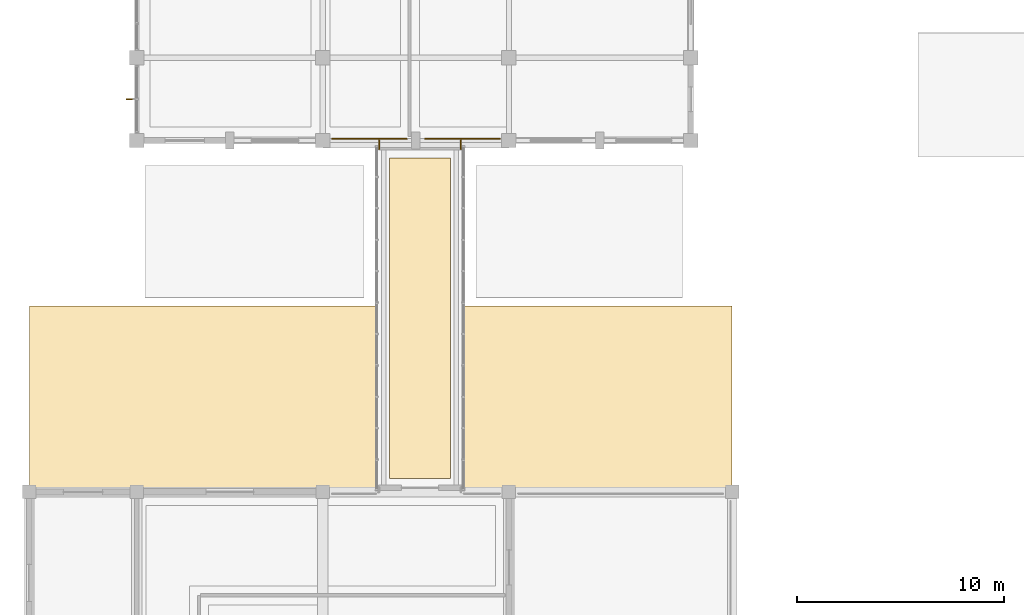
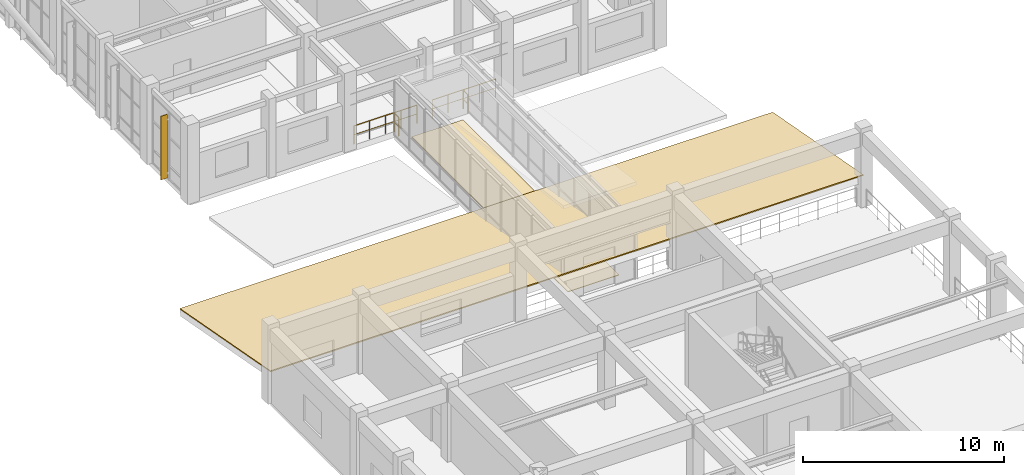
# One storey, part 96 of 104: 4 railings, 2 coverings, 1 shading device.
"""IFC4 building model written with IfcOpenShell, lengths in metres."""

from ifc_helpers import new_model, si_unit, direction, frame, origin, origin_2d, place, context, subcontext, project, spatial, polyline, rectangle, circle, outline, extrude, material, layer, layer_set, type_object, element, save


model = new_model("IFC4")

# Units and contexts
model_context = context("Model", 3, precision=1e-05, world=origin(), true_north=direction((0.0, 1.0)))
body_context = subcontext(model_context, "Body", "Model", "MODEL_VIEW")
ifc_project = project(units=[si_unit("LENGTHUNIT", "METRE"), si_unit("AREAUNIT", "SQUARE_METRE"), si_unit("VOLUMEUNIT", "CUBIC_METRE"), si_unit("PLANEANGLEUNIT", "RADIAN"), si_unit("MASSUNIT", "GRAM", prefix="KILO")], contexts=[model_context])

# Site, building, storey
site_placement = place(None, origin())
site = spatial("IfcSite", under=ifc_project, at=site_placement, CompositionType="ELEMENT")
building_placement = place(site_placement, origin())
building = spatial("IfcBuilding", under=site, at=building_placement, Name="Ventoquebrada Cableway Terminal", CompositionType="ELEMENT")
storey_placement = place(building_placement, frame((0.0, 0.0, 4.800048828125)))
storey = spatial("IfcBuildingStorey", under=building, at=storey_placement, Name="L01", CompositionType="ELEMENT", Elevation=4.800048828125)

# Coverings
ifc_material_1 = material(Name="Honed volcanic basalt stone flooring", Category="masonry")
ifc_layer_1 = layer(ifc_material_1, 0.034912109375)
ifc_layer_set_1 = layer_set([ifc_layer_1], Name="Honed volcanic basalt stone flooring")
covering_type_1 = type_object("IfcCoveringType", Name="COV-FL01", PredefinedType="FLOORING", material=ifc_layer_set_1)
covering_1_placement = place(storey_placement, origin())
element("IfcCovering", 1, at=covering_1_placement, inside=storey, type_object=covering_type_1, Name="Honed basalt floor finish FL-05", PredefinedType="FLOORING", context=body_context, shape_type="SweptSolid", body=[
    extrude(outline(polyline([(20.429931640625, 47.64990234375), (23.3701171875, 47.64990234375), (23.3701171875, 63.14990234375), (20.429931640625, 63.14990234375), (20.429931640625, 47.64990234375)])), origin(), (0.0, 0.0, 1.0), 0.034912109375),
])
ifc_material_2 = material(Name="Standing-seam zinc-titanium roofing")
ifc_layer_2 = layer(ifc_material_2, 0.06005859375)
ifc_layer_set_2 = layer_set([ifc_layer_2], Name="Standing-seam zinc-titanium roofing")
covering_type_2 = type_object("IfcCoveringType", Name="COV-RF01", PredefinedType="ROOFING", material=ifc_layer_set_2)
covering_2_placement = place(storey_placement, frame((3.0, 46.989013671875, 1.6689453125), z_axis=(0.0, 0.18222679532, 0.983256525566), x_axis=(1.0, 0.0, 0.0)))
element("IfcCovering", 2, at=covering_2_placement, inside=storey, type_object=covering_type_2, Name="Standing-seam roof covering SL-103", PredefinedType="ROOFING", context=body_context, shape_type="SweptSolid", body=[
    extrude(outline(polyline([(0.0, 0.0), (34.0, 0.0), (34.0, 9.153257330097114), (0.0, 9.153257330097114), (0.0, 0.0)])), origin(), (0.0, 0.0, 1.0), 0.06005859375),
])

# Railings
ifc_material_3 = material(Name="Brushed stainless steel Grade 316", Category="steel")
railing_type_1 = type_object("IfcRailingType", Name="RL-GD01", PredefinedType="GUARDRAIL", material=ifc_material_3)
for number, where, name in (
    (3, (25.758056640625, 64.080078125, 0.0), "Open-edge guardrail GR-E094"),
    (4, (21.258056640625, 64.080078125, 0.0), "Open-edge guardrail GR-E095"),
):
    element("IfcRailing", number, at=place(storey_placement, frame(where)), inside=storey, type_object=railing_type_1, Name=name, PredefinedType="GUARDRAIL", context=body_context, shape_type="SweptSolid", body=[
        extrude(circle(Radius=0.02392578125, at=origin_2d()), frame((-0.001953125, 0.0, 1.09619140625), z_axis=(-1.0, 0.0, 0.0), x_axis=(0.0, -1.0, 0.0)), (0.0, 0.0, 1.0), 3.612060546875),
        extrude(circle(Radius=0.01611328125, at=origin_2d()), frame((-0.001953125, 0.0, 0.56005859375), z_axis=(-1.0, 0.0, 0.0), x_axis=(0.0, -1.0, 0.0)), (0.0, 0.0, 1.0), 3.612060546875),
        extrude(circle(Radius=0.02099609375, at=origin_2d()), origin(), (0.0, 0.0, 1.0), 1.072021484375),
        extrude(circle(Radius=0.02099609375, at=origin_2d()), frame((-0.904052734375, 0.0, 0.0)), (0.0, 0.0, 1.0), 1.072021484375),
        extrude(circle(Radius=0.02099609375, at=origin_2d()), frame((-1.80810546875, 0.0, 0.0)), (0.0, 0.0, 1.0), 1.072021484375),
        extrude(circle(Radius=0.02099609375, at=origin_2d()), frame((-2.7119140625, 0.0, 0.0)), (0.0, 0.0, 1.0), 1.072021484375),
        extrude(circle(Radius=0.02099609375, at=origin_2d()), frame((-3.615966796875, 0.0, 0.0)), (0.0, 0.0, 1.0), 1.072021484375),
    ])
railing_type_2 = type_object("IfcRailingType", Name="RL-GD02", PredefinedType="BALUSTRADE", material=ifc_material_3)
for number, where, name in (
    (5, (19.919921875, 63.580078125, 0.0), "Bridge end closure guardrail GR-B052"),
    (6, (23.8798828125, 63.580078125, 0.0), "Bridge end closure guardrail GR-B053"),
):
    element("IfcRailing", number, at=place(storey_placement, frame(where)), inside=storey, type_object=railing_type_2, Name=name, PredefinedType="BALUSTRADE", context=body_context, shape_type="SweptSolid", body=[
        extrude(circle(Radius=0.02392578125, at=origin_2d()), frame((0.0, 0.001953125, 1.1259765625), z_axis=(0.0, 1.0, 0.0), x_axis=(-1.0, 0.0, 0.0)), (0.0, 0.0, 1.0), 0.43603515625),
        extrude(circle(Radius=0.01611328125, at=origin_2d()), frame((0.0, 0.001953125, 0.574951171875), z_axis=(0.0, 1.0, 0.0), x_axis=(-1.0, 0.0, 0.0)), (0.0, 0.0, 1.0), 0.43603515625),
        extrude(circle(Radius=0.02099609375, at=origin_2d()), origin(), (0.0, 0.0, 1.0), 1.101806640625),
        extrude(circle(Radius=0.02099609375, at=origin_2d()), frame((0.0, 0.43994140625, 0.0)), (0.0, 0.0, 1.0), 1.101806640625),
    ])

# Shading device
ifc_material_4 = material(Name="Anodized thermally-broken aluminium", Category="aluminium")
shading_device_type = type_object("IfcShadingDeviceType", Name="SHD-AW1", PredefinedType="AWNING", material=ifc_material_4)
shading_device_placement = place(storey_placement, frame((7.860107421875, 66.0, 0.14990234375), z_axis=(0.0, 0.0, 1.0), x_axis=(0.0, -1.0, 0.0)))
element("IfcShadingDevice", 7, at=shading_device_placement, inside=storey, type_object=shading_device_type, Name="Extruded aluminium sunshade fin FN-006", PredefinedType="AWNING", context=body_context, shape_type="SweptSolid", body=[
    extrude(rectangle(XDim=0.044921875, YDim=0.360107421875, at=origin_2d()), origin(), (0.0, 0.0, 1.0), 3.860107421875),
])

save(model, "model.ifc")
